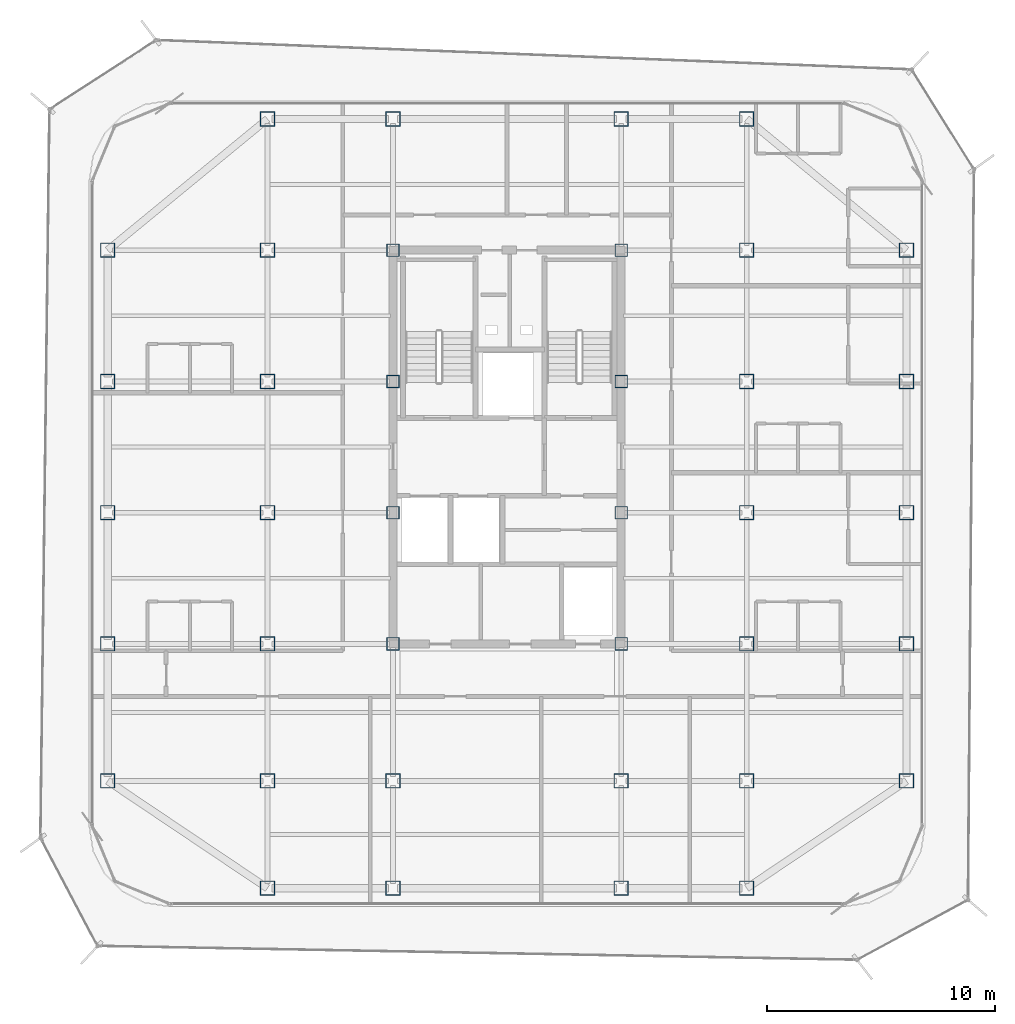
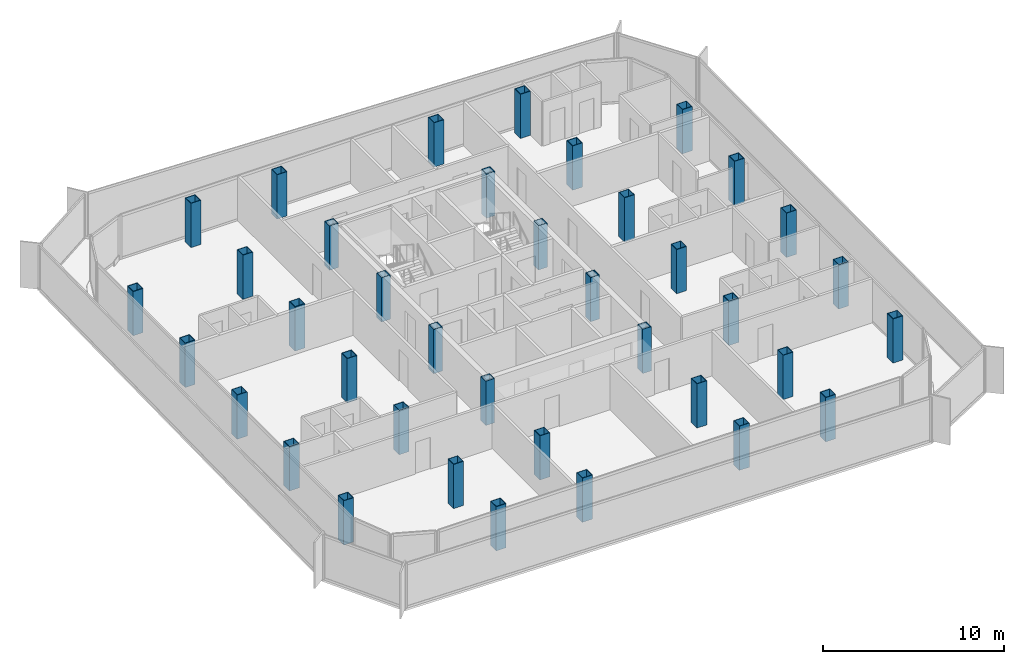
# One storey, part 1 of 15: 38 columns.
"""IFC4 building model written with IfcOpenShell, lengths in metres."""

from ifc_helpers import new_model, si_unit, direction, frame, origin, origin_2d, place, context, subcontext, project, spatial, hollow_rectangle, extrude, source, transform, mapped, material, material_profile, profile_set, type_object, element, save


model = new_model("IFC4")

# Units and contexts
model_context = context("Model", 3, precision=1e-05, world=origin(), true_north=direction((0.0, 1.0)))
body_context = subcontext(model_context, "Body", "Model", "MODEL_VIEW")
ifc_project = project(units=[si_unit("LENGTHUNIT", "METRE"), si_unit("AREAUNIT", "SQUARE_METRE"), si_unit("VOLUMEUNIT", "CUBIC_METRE"), si_unit("PLANEANGLEUNIT", "RADIAN"), si_unit("MASSUNIT", "GRAM", prefix="KILO")], contexts=[model_context])

# Site, building, storey
site_placement = place(None, origin())
site = spatial("IfcSite", under=ifc_project, at=site_placement, CompositionType="ELEMENT")
building_placement = place(site_placement, origin())
building = spatial("IfcBuilding", under=site, at=building_placement, Name="Kolveth Station Tower", CompositionType="ELEMENT")
storey_placement = place(building_placement, frame((0.0, 0.0, 245.699951171875)))
storey = spatial("IfcBuildingStorey", under=building, at=storey_placement, Name="L70", CompositionType="ELEMENT", Elevation=245.699951171875)

# Columns
ifc_material = material(Name="Steel S355", Category="steel")
ifc_material_profile_1 = material_profile(ifc_material, hollow_rectangle(XDim=0.639892578125, YDim=0.639892578125, WallThickness=0.034912109375, at=origin_2d()), Name="BOX640x640x35")
ifc_profile_set_1 = profile_set([ifc_material_profile_1], Name="Steel S355")
column_type_1 = type_object("IfcColumnType", Name="Col_C7", PredefinedType="COLUMN", material=ifc_profile_set_1)
shared_shape_1 = source(origin(), body_context, "Body", "SweptSolid", [
    extrude(hollow_rectangle(XDim=0.639892578125, YDim=0.639892578125, WallThickness=0.034912109375, at=origin_2d()), origin(), (0.0, 0.0, 1.0), 2.97998046875),
])
for number, where, z_axis, x_axis, name in (
    (1, (13.0, 0.800048828125, 0.0), (0.0, 0.0, 1.0), (1.0, 0.0, 0.0), "L70 Tower Column S-X130"),
    (2, (13.0, 34.5, 0.0), (0.0, 0.0, 1.0), (1.0, 0.0, 0.0), "L70 Tower Column N-X130"),
    (3, (18.5, 0.800048828125, 0.0), (0.0, 0.0, 1.0), (1.0, 0.0, 0.0), "L70 Tower Column S-X185"),
    (4, (18.5, 34.5, 0.0), (0.0, 0.0, 1.0), (1.0, 0.0, 0.0), "L70 Tower Column N-X185"),
    (5, (28.5, 0.800048828125, 0.0), (0.0, 0.0, 1.0), (1.0, 0.0, 0.0), "L70 Tower Column S-X285"),
    (6, (28.5, 34.5, 0.0), (0.0, 0.0, 1.0), (1.0, 0.0, 0.0), "L70 Tower Column N-X285"),
    (7, (34.0, 0.800048828125, 0.0), (0.0, 0.0, 1.0), (1.0, 0.0, 0.0), "L70 Tower Column S-X340"),
    (8, (34.0, 34.5, 0.0), (0.0, 0.0, 1.0), (1.0, 0.0, 0.0), "L70 Tower Column N-X340"),
    (9, (6.0, 5.5, 0.0), (0.0, 0.0, 1.0), (1.0, 0.0, 0.0), "L70 Tower Column W-Y55"),
    (10, (41.0, 5.5, 0.0), (0.0, 0.0, 1.0), (1.0, 0.0, 0.0), "L70 Tower Column E-Y55"),
    (11, (6.0, 11.5, 0.0), (0.0, 0.0, 1.0), (1.0, 0.0, 0.0), "L70 Tower Column W-Y115"),
    (12, (41.0, 11.5, 0.0), (0.0, 0.0, 1.0), (1.0, 0.0, 0.0), "L70 Tower Column E-Y115"),
    (13, (6.0, 17.25, 0.0), (0.0, 0.0, 1.0), (1.0, 0.0, 0.0), "L70 Tower Column W-Y172"),
    (14, (41.0, 17.25, 0.0), (0.0, 0.0, 1.0), (1.0, 0.0, 0.0), "L70 Tower Column E-Y172"),
    (15, (6.0, 23.0, 0.0), (0.0, 0.0, 1.0), (1.0, 0.0, 0.0), "L70 Tower Column W-Y230"),
    (16, (41.0, 23.0, 0.0), (0.0, 0.0, 1.0), (1.0, 0.0, 0.0), "L70 Tower Column E-Y230"),
    (17, (6.0, 28.75, 0.0), (0.0, 0.0, 1.0), (1.0, 0.0, 0.0), "L70 Tower Column W-Y287"),
    (18, (41.0, 28.75, 0.0), (0.0, 0.0, 1.0), (1.0, 0.0, 0.0), "L70 Tower Column E-Y287"),
    (19, (13.0, 5.5, 0.0), (0.0, 0.0, 1.0), (1.0, 0.0, 0.0), "L70 Tower Column G-130-55"),
    (20, (13.0, 11.5, 0.0), (0.0, 0.0, 1.0), (1.0, 0.0, 0.0), "L70 Tower Column G-130-115"),
    (21, (13.0, 17.25, 0.0), (0.0, 0.0, 1.0), (1.0, 0.0, 0.0), "L70 Tower Column G-130-172"),
    (22, (13.0, 23.0, 0.0), (0.0, 0.0, 1.0), (1.0, 0.0, 0.0), "L70 Tower Column G-130-230"),
    (23, (13.0, 28.75, 0.0), (0.0, 0.0, 1.0), (1.0, 0.0, 0.0), "L70 Tower Column G-130-287"),
    (24, (18.5, 5.5, 0.0), (0.0, 0.0, 1.0), (1.0, 0.0, 0.0), "L70 Tower Column G-185-55"),
    (25, (28.5, 5.5, 0.0), (0.0, 0.0, 1.0), (1.0, 0.0, 0.0), "L70 Tower Column G-285-55"),
    (26, (34.0, 5.5, 0.0), (0.0, 0.0, 1.0), (1.0, 0.0, 0.0), "L70 Tower Column G-340-55"),
    (27, (34.0, 11.5, 0.0), (0.0, 0.0, 1.0), (1.0, 0.0, 0.0), "L70 Tower Column G-340-115"),
    (28, (34.0, 17.25, 0.0), (0.0, 0.0, 1.0), (1.0, 0.0, 0.0), "L70 Tower Column G-340-172"),
    (29, (34.0, 23.0, 0.0), (0.0, 0.0, 1.0), (1.0, 0.0, 0.0), "L70 Tower Column G-340-230"),
    (30, (34.0, 28.75, 0.0), (0.0, 0.0, 1.0), (1.0, 0.0, 0.0), "L70 Tower Column G-340-287"),
):
    element("IfcColumn", number, at=place(storey_placement, frame(where, z_axis=z_axis, x_axis=x_axis)), inside=storey, type_object=column_type_1, Name=name, PredefinedType="COLUMN", context=body_context, shape_type="MappedRepresentation", body=[
        mapped(shared_shape_1, transform((0.0, 0.0, 0.0), x_axis=(1.0, 0.0, 0.0), y_axis=(0.0, 1.0, 0.0), z_axis=(0.0, 0.0, 1.0), scale=1.0)),
    ])
ifc_material_profile_2 = material_profile(ifc_material, hollow_rectangle(XDim=0.56005859375, YDim=0.56005859375, WallThickness=0.030029296875, at=origin_2d()), Name="BOX560x560x30")
ifc_profile_set_2 = profile_set([ifc_material_profile_2], Name="Steel S355")
column_type_2 = type_object("IfcColumnType", Name="Col_C8", PredefinedType="COLUMN", material=ifc_profile_set_2)
shared_shape_2 = source(origin(), body_context, "Body", "SweptSolid", [
    extrude(hollow_rectangle(XDim=0.56005859375, YDim=0.56005859375, WallThickness=0.030029296875, at=origin_2d()), origin(), (0.0, 0.0, 1.0), 2.97998046875),
])
for number, where, z_axis, x_axis, name in (
    (31, (18.5, 11.5, 0.0), (0.0, 0.0, 1.0), (1.0, 0.0, 0.0), "L70 Tower Column G-185-115"),
    (32, (18.5, 17.25, 0.0), (0.0, 0.0, 1.0), (1.0, 0.0, 0.0), "L70 Tower Column G-185-172"),
    (33, (18.5, 23.0, 0.0), (0.0, 0.0, 1.0), (1.0, 0.0, 0.0), "L70 Tower Column G-185-230"),
    (34, (18.5, 28.75, 0.0), (0.0, 0.0, 1.0), (1.0, 0.0, 0.0), "L70 Tower Column G-185-287"),
    (35, (28.5, 11.5, 0.0), (0.0, 0.0, 1.0), (1.0, 0.0, 0.0), "L70 Tower Column G-285-115"),
    (36, (28.5, 17.25, 0.0), (0.0, 0.0, 1.0), (1.0, 0.0, 0.0), "L70 Tower Column G-285-172"),
    (37, (28.5, 23.0, 0.0), (0.0, 0.0, 1.0), (1.0, 0.0, 0.0), "L70 Tower Column G-285-230"),
    (38, (28.5, 28.75, 0.0), (0.0, 0.0, 1.0), (1.0, 0.0, 0.0), "L70 Tower Column G-285-287"),
):
    element("IfcColumn", number, at=place(storey_placement, frame(where, z_axis=z_axis, x_axis=x_axis)), inside=storey, type_object=column_type_2, Name=name, PredefinedType="COLUMN", context=body_context, shape_type="MappedRepresentation", body=[
        mapped(shared_shape_2, transform((0.0, 0.0, 0.0), x_axis=(1.0, 0.0, 0.0), y_axis=(0.0, 1.0, 0.0), z_axis=(0.0, 0.0, 1.0), scale=1.0)),
    ])

save(model, "model.ifc")
